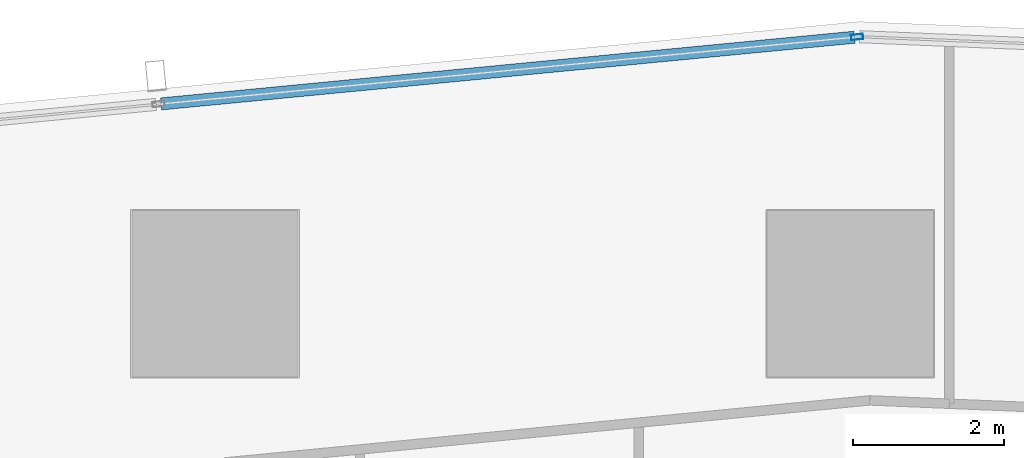
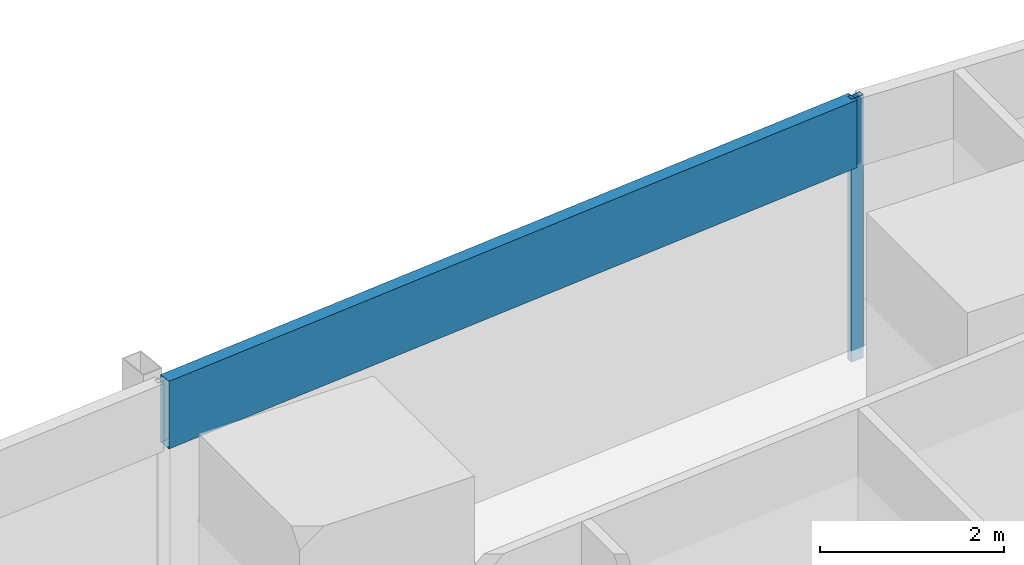
# One storey, part 17 of 44: 2 members, 1 element without a shape of its own.
"""IFC4 building model written with IfcOpenShell, lengths in metres."""

from ifc_helpers import new_model, si_unit, direction, frame, origin, origin_2d, place, context, subcontext, project, spatial, hollow_rectangle, extrude, material, material_profile, profile_set, type_object, element, aggregate, save


model = new_model("IFC4")

# Units and contexts
model_context = context("Model", 3, precision=1e-05, world=origin(), true_north=direction((0.0, 1.0)))
body_context = subcontext(model_context, "Body", "Model", "MODEL_VIEW")
ifc_project = project(units=[si_unit("LENGTHUNIT", "METRE"), si_unit("AREAUNIT", "SQUARE_METRE"), si_unit("VOLUMEUNIT", "CUBIC_METRE"), si_unit("PLANEANGLEUNIT", "RADIAN"), si_unit("MASSUNIT", "GRAM", prefix="KILO")], contexts=[model_context])

# Site, building, storey
site_placement = place(None, origin())
site = spatial("IfcSite", under=ifc_project, at=site_placement, CompositionType="ELEMENT")
building_placement = place(site_placement, origin())
building = spatial("IfcBuilding", under=site, at=building_placement, Name="Rekha Terrace Tower", CompositionType="ELEMENT")
storey_placement = place(building_placement, frame((0.0, 0.0, 51.64990234375)))
storey = spatial("IfcBuildingStorey", under=building, at=storey_placement, Name="L12", CompositionType="ELEMENT", Elevation=51.64990234375)

# Curtain wall, members
ifc_material_1 = material(Name="Aluminium framing", Category="aluminium")
curtain_wall_type = type_object("IfcCurtainWallType", Name="CW3 north unitised glazing", PredefinedType="USERDEFINED", material=ifc_material_1)
curtain_wall_placement = place(storey_placement, origin())
curtain_wall = element("IfcCurtainWall", 1, at=curtain_wall_placement, inside=storey, type_object=curtain_wall_type, Name="CW3 unitised curtain wall", ObjectType="UNITISED CURTAIN WALL", PredefinedType="USERDEFINED")
ifc_material_2 = material(Name="Aluminium mullion section", Category="aluminium")
ifc_material_profile_1 = material_profile(ifc_material_2, hollow_rectangle(XDim=0.070068359375, YDim=0.159912109375, WallThickness=0.00390625, at=origin_2d()), Name="AL RHS 70x160")
ifc_profile_set_1 = profile_set([ifc_material_profile_1], Name="Aluminium mullion section")
member_type_1 = type_object("IfcMemberType", Name="CW3 mullion RHS 70 x 160", PredefinedType="MULLION", material=ifc_profile_set_1)
member_1_placement = place(storey_placement, frame((25.29052734375, 62.1962890625, 0.0), z_axis=(0.0, 0.0, 1.0), x_axis=(0.095712406625, -0.995409029102, 0.0)))
member_1 = element("IfcMember", 2, at=member_1_placement, type_object=member_type_1, Name="CW3 mullion 1", PredefinedType="MULLION", context=body_context, shape_type="SweptSolid", body=[
    extrude(hollow_rectangle(XDim=0.070068359375, YDim=0.159912109375, WallThickness=0.00390625, at=origin_2d()), origin(), (0.0, 0.0, 1.0), 3.5),
])
ifc_material_3 = material(Name="Insulated aluminium spandrel box", Category="aluminium")
ifc_material_profile_2 = material_profile(ifc_material_3, hollow_rectangle(XDim=0.159912109375, YDim=0.89990234375, WallThickness=0.0029296875, at=origin_2d()), Name="AL SPANDREL BOX 160x900")
ifc_profile_set_2 = profile_set([ifc_material_profile_2], Name="Insulated aluminium spandrel box")
member_type_2 = type_object("IfcMemberType", Name="CW3 spandrel transom 160 x 900", PredefinedType="USERDEFINED", material=ifc_profile_set_2)
member_2_placement = place(storey_placement, frame((25.255859375, 62.19287109375, 3.050048828125), z_axis=(-0.995408446287, -0.095718467713, 0.0), x_axis=(0.095718467713, -0.995408446287, 0.0)))
member_2 = element("IfcMember", 3, at=member_2_placement, type_object=member_type_2, Name="CW3 spandrel transom 1", ObjectType="TRANSOM", PredefinedType="USERDEFINED", context=body_context, shape_type="SweptSolid", body=[
    extrude(hollow_rectangle(XDim=0.159912109375, YDim=0.89990234375, WallThickness=0.0029296875, at=origin_2d()), origin(), (0.0, 0.0, 1.0), 9.210205078125),
])
aggregate(curtain_wall, [member_1, member_2])

save(model, "model.ifc")
